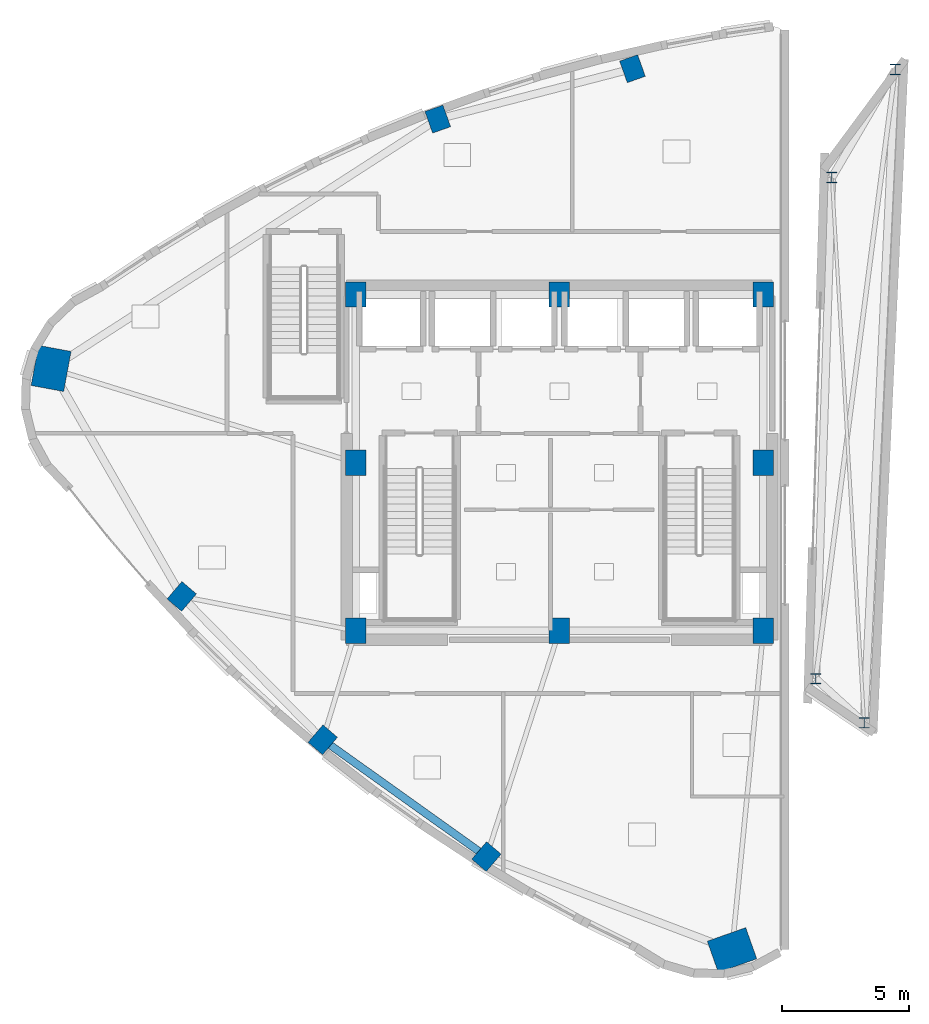
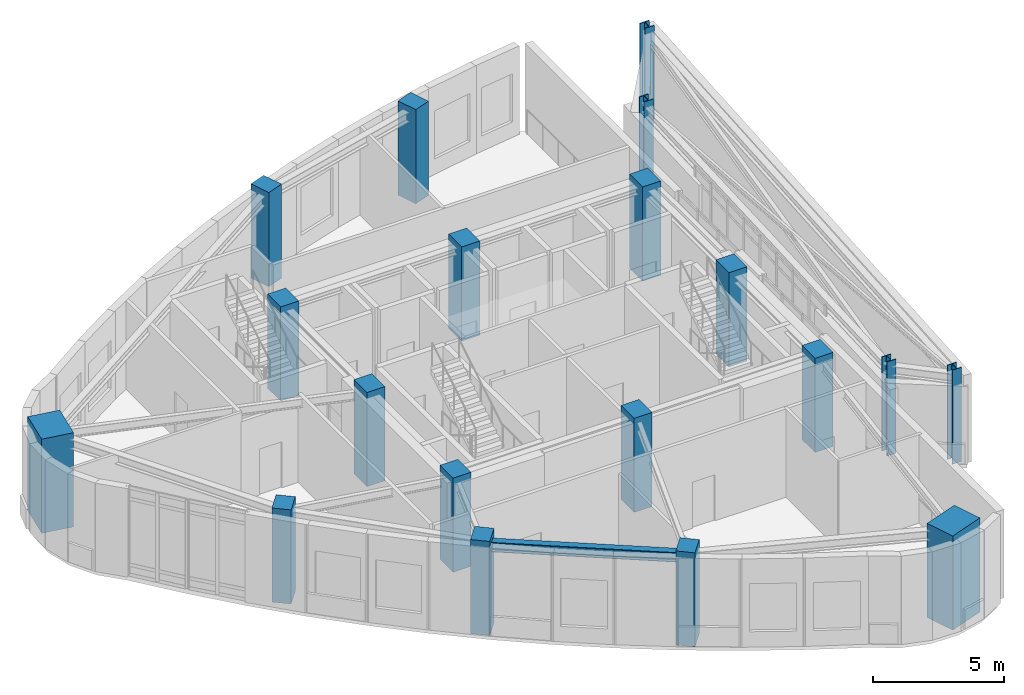
# One storey, part 1 of 19: 19 columns, 1 beam.
"""IFC4 building model written with IfcOpenShell, lengths in metres."""

from ifc_helpers import new_model, si_unit, direction, frame, origin, origin_2d, place, context, subcontext, project, spatial, rectangle, i_section, extrude, material, material_profile, profile_set, type_object, element, save


model = new_model("IFC4")

# Units and contexts
model_context = context("Model", 3, precision=1e-05, world=origin(), true_north=direction((0.0, 1.0)))
body_context = subcontext(model_context, "Body", "Model", "MODEL_VIEW")
ifc_project = project(units=[si_unit("LENGTHUNIT", "METRE"), si_unit("AREAUNIT", "SQUARE_METRE"), si_unit("VOLUMEUNIT", "CUBIC_METRE"), si_unit("PLANEANGLEUNIT", "RADIAN"), si_unit("MASSUNIT", "GRAM", prefix="KILO")], contexts=[model_context])

# Site, building, storey
site_placement = place(None, origin())
site = spatial("IfcSite", under=ifc_project, at=site_placement, CompositionType="ELEMENT")
building_placement = place(site_placement, origin())
building = spatial("IfcBuilding", under=site, at=building_placement, Name="Ndelora Gate Hotel", CompositionType="ELEMENT")
storey_placement = place(building_placement, frame((0.0, 0.0, 286.0)))
storey = spatial("IfcBuildingStorey", under=building, at=storey_placement, Name="L71", CompositionType="ELEMENT", Elevation=286.0)

# Columns
ifc_material_1 = material(Name="Concrete C50/60", Category="concrete")
ifc_material_profile_1 = material_profile(ifc_material_1, rectangle(XDim=0.800048828125, YDim=1.0, at=origin_2d()), Name="RC 1000x800")
ifc_profile_set_1 = profile_set([ifc_material_profile_1], Name="Concrete C50/60")
column_type_1 = type_object("IfcColumnType", Name="COL-CC-HI", PredefinedType="COLUMN", material=ifc_profile_set_1)
for number, where, z_axis, x_axis, name in (
    (1, (-8.0, -6.60009765625, 0.0), (0.0, 0.0, 1.0), (1.0, 0.0, 0.0), "L71 Core Column CC1"),
    (2, (0.0, -6.60009765625, 0.0), (0.0, 0.0, 1.0), (1.0, 0.0, 0.0), "L71 Core Column CC2"),
    (3, (8.0, -6.60009765625, 0.0), (0.0, 0.0, 1.0), (1.0, 0.0, 0.0), "L71 Core Column CC3"),
    (4, (8.0, 0.0, 0.0), (0.0, 0.0, 1.0), (1.0, 0.0, 0.0), "L71 Core Column CC4"),
    (5, (8.0, 6.60009765625, 0.0), (0.0, 0.0, 1.0), (1.0, 0.0, 0.0), "L71 Core Column CC5"),
    (6, (0.0, 6.60009765625, 0.0), (0.0, 0.0, 1.0), (1.0, 0.0, 0.0), "L71 Core Column CC6"),
    (7, (-8.0, 6.60009765625, 0.0), (0.0, 0.0, 1.0), (1.0, 0.0, 0.0), "L71 Core Column CC7"),
    (8, (-8.0, 0.0, 0.0), (0.0, 0.0, 1.0), (1.0, 0.0, 0.0), "L71 Core Column CC8"),
):
    element("IfcColumn", number, at=place(storey_placement, frame(where, z_axis=z_axis, x_axis=x_axis)), inside=storey, type_object=column_type_1, Name=name, PredefinedType="COLUMN", context=body_context, shape_type="SweptSolid", body=[
        extrude(rectangle(XDim=0.800048828125, YDim=1.0, at=origin_2d()), origin(), (0.0, 0.0, 1.0), 4.39990234375),
    ])
ifc_material_profile_2 = material_profile(ifc_material_1, rectangle(XDim=1.300048828125, YDim=1.60009765625, at=origin_2d()), Name="RC 1600x1300")
ifc_profile_set_2 = profile_set([ifc_material_profile_2], Name="Concrete C50/60")
column_type_2 = type_object("IfcColumnType", Name="COL-MC-Z4", PredefinedType="COLUMN", material=ifc_profile_set_2)
for number, where, z_axis, x_axis, name in (
    (9, (-19.949951171875, 3.697509765625, 0.0), (0.0, 0.0, 1.0), (-0.983254907564, 0.182235525492, 0.0), "L71 Corner Mega-Column R1"),
    (10, (6.772705078125, -19.1259765625, 0.0), (0.0, 0.0, 1.0), (-0.333806859234, 0.942641491092, 0.0), "L71 Corner Mega-Column R5"),
):
    element("IfcColumn", number, at=place(storey_placement, frame(where, z_axis=z_axis, x_axis=x_axis)), inside=storey, type_object=column_type_2, Name=name, PredefinedType="COLUMN", context=body_context, shape_type="SweptSolid", body=[
        extrude(rectangle(XDim=1.300048828125, YDim=1.60009765625, at=origin_2d()), origin(), (0.0, 0.0, 1.0), 4.39990234375),
    ])
ifc_material_profile_3 = material_profile(ifc_material_1, rectangle(XDim=0.75, YDim=0.89990234375, at=origin_2d()), Name="RC 900x750")
ifc_profile_set_3 = profile_set([ifc_material_profile_3], Name="Concrete C50/60")
column_type_3 = type_object("IfcColumnType", Name="COL-PT-Z4", PredefinedType="COLUMN", material=ifc_profile_set_3)
for number, where, z_axis, x_axis, name in (
    (11, (-14.822509765625, -5.248779296875, 0.0), (0.0, 0.0, 1.0), (-0.7604059656, 0.64944804833, 0.0), "L71 Perimeter Tube Column R2"),
    (12, (-9.2890625, -10.876220703125, 0.0), (0.0, 0.0, 1.0), (-0.7604059656, 0.64944804833, 0.0), "L71 Perimeter Tube Column R3"),
    (13, (-2.865478515625, -15.461181640625, 0.0), (0.0, 0.0, 1.0), (-0.7604059656, 0.64944804833, 0.0), "L71 Perimeter Tube Column R4"),
    (14, (2.865478515625, 15.461181640625, 0.0), (0.0, 0.0, 1.0), (0.942641491092, 0.333806859234, 0.0), "L71 Perimeter Tube Column R10"),
    (15, (-4.7744140625, 13.482666015625, 0.0), (0.0, 0.0, 1.0), (0.942641491092, 0.333806859234, 0.0), "L71 Perimeter Tube Column R11"),
):
    element("IfcColumn", number, at=place(storey_placement, frame(where, z_axis=z_axis, x_axis=x_axis)), inside=storey, type_object=column_type_3, Name=name, PredefinedType="COLUMN", context=body_context, shape_type="SweptSolid", body=[
        extrude(rectangle(XDim=0.75, YDim=0.89990234375, at=origin_2d()), origin(), (0.0, 0.0, 1.0), 4.39990234375),
    ])
ifc_material_2 = material(Name="Steel S460", Category="steel")
ifc_material_profile_4 = material_profile(ifc_material_2, i_section(OverallWidth=0.406005859375, OverallDepth=0.416015625, WebThickness=0.021484375, FlangeThickness=0.034423828125, FilletRadius=0.014892578125, at=origin_2d()), Name="HD 400x382")
ifc_profile_set_4 = profile_set([ifc_material_profile_4], Name="Steel S460")
column_type_4 = type_object("IfcColumnType", Name="COL-STL-CRN2", PredefinedType="COLUMN", material=ifc_profile_set_4)
for number, where, z_axis, x_axis, name in (
    (16, (10.0576171875, -8.478271484375, 0.0), (0.0, 0.0, 1.0), (1.0, 0.0, 0.0), "L71 East Crown Peak Column EP-1"),
    (17, (11.956787109375, -10.212158203125, 0.0), (0.0, 0.0, 1.0), (1.0, 0.0, 0.0), "L71 East Crown Peak Column EP-2"),
    (18, (13.177001953125, 15.428466796875, 0.0), (0.0, 0.0, 1.0), (1.0, 0.0, 0.0), "L71 East Crown Peak Column EP-3"),
    (19, (10.692138671875, 11.19091796875, 0.0), (0.0, 0.0, 1.0), (1.0, 0.0, 0.0), "L71 East Crown Peak Column EP-4"),
):
    element("IfcColumn", number, at=place(storey_placement, frame(where, z_axis=z_axis, x_axis=x_axis)), inside=storey, type_object=column_type_4, Name=name, PredefinedType="COLUMN", context=body_context, shape_type="SweptSolid", body=[
        extrude(i_section(OverallWidth=0.406005859375, OverallDepth=0.416015625, WebThickness=0.021484375, FlangeThickness=0.034423828125, FilletRadius=0.014892578125, at=origin_2d()), origin(), (0.0, 0.0, 1.0), 4.39990234375),
    ])

# Beam
ifc_material_3 = material(Name="Steel S355", Category="steel")
ifc_material_profile_5 = material_profile(ifc_material_3, i_section(OverallWidth=0.300048828125, OverallDepth=0.449951171875, WebThickness=0.013916015625, FlangeThickness=0.02587890625, FilletRadius=0.027099609375, at=origin_2d()), Name="HEB 450")
ifc_profile_set_5 = profile_set([ifc_material_profile_5], Name="Steel S355")
beam_type = type_object("IfcBeamType", Name="BM-RING-450", PredefinedType="SPANDREL", material=ifc_profile_set_5)
beam_placement = place(storey_placement, frame((-9.2890625, -10.876220703125, 3.905029296875), z_axis=(0.813931993272, -0.580960162428, 0.0), x_axis=(0.580960162428, 0.813931993272, 0.0)))
element("IfcBeam", 20, at=beam_placement, inside=storey, type_object=beam_type, Name="L71 structural beam RB-5", PredefinedType="SPANDREL", context=body_context, shape_type="SweptSolid", body=[
    extrude(i_section(OverallWidth=0.300048828125, OverallDepth=0.449951171875, WebThickness=0.013916015625, FlangeThickness=0.02587890625, FilletRadius=0.027099609375, at=origin_2d()), origin(), (0.0, 0.0, 1.0), 7.89208984375),
])

save(model, "model.ifc")
